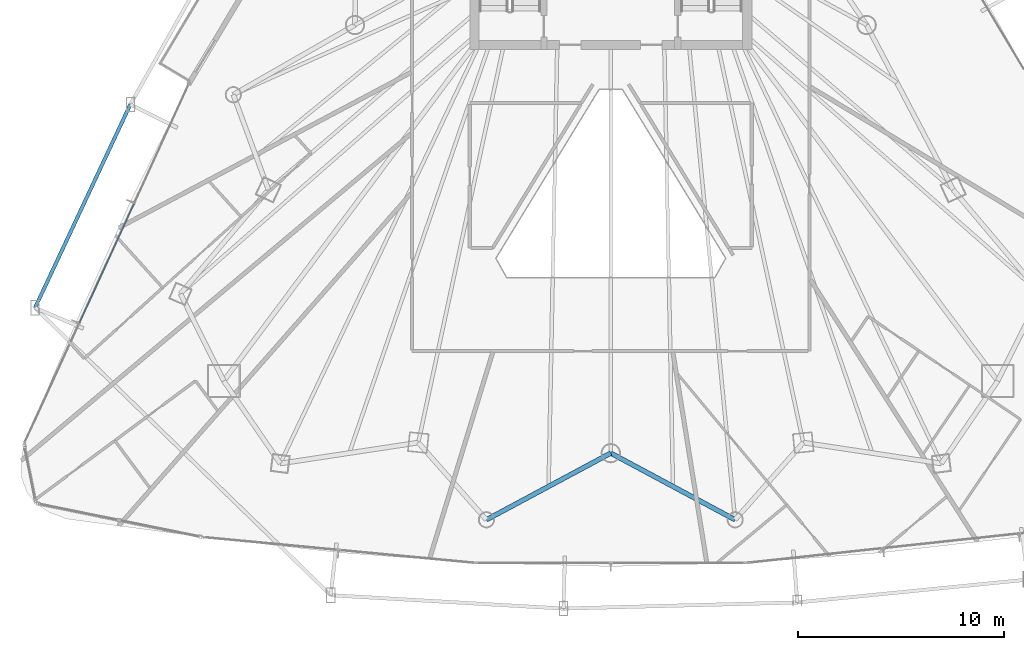
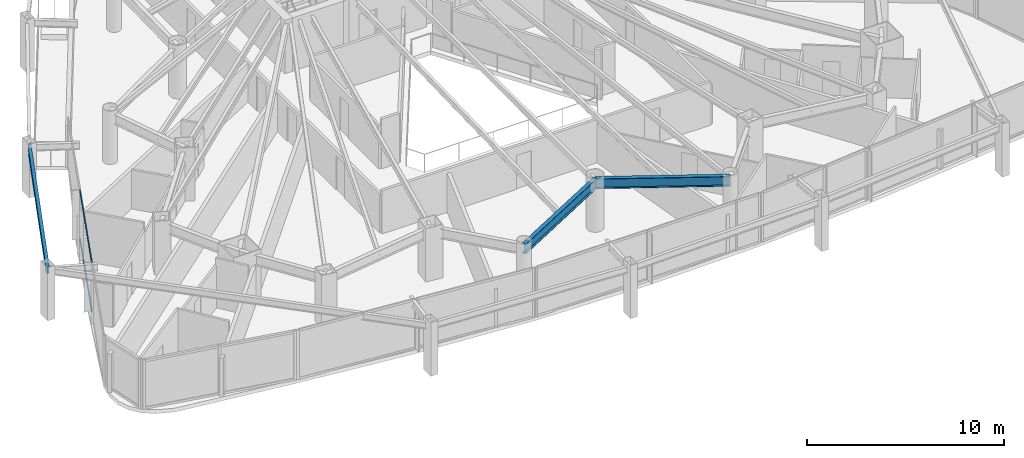
# One storey, part 8 of 38: 3 beams, 2 members, 1 element without a shape of its own.
"""IFC4 building model written with IfcOpenShell, lengths in metres."""

from ifc_helpers import new_model, si_unit, direction, frame, origin, origin_2d, place, context, subcontext, project, spatial, hollow_rectangle, i_section, extrude, material, layer, layer_set, material_profile, profile_set, type_object, element, aggregate, save


model = new_model("IFC4")

# Units and contexts
model_context = context("Model", 3, precision=1e-05, world=origin(), true_north=direction((0.0, 1.0)))
body_context = subcontext(model_context, "Body", "Model", "MODEL_VIEW")
ifc_project = project(units=[si_unit("LENGTHUNIT", "METRE"), si_unit("AREAUNIT", "SQUARE_METRE"), si_unit("VOLUMEUNIT", "CUBIC_METRE"), si_unit("PLANEANGLEUNIT", "RADIAN"), si_unit("MASSUNIT", "GRAM", prefix="KILO")], contexts=[model_context])

# Site, building, storey
site_placement = place(None, origin())
site = spatial("IfcSite", under=ifc_project, at=site_placement, CompositionType="ELEMENT")
building_placement = place(site_placement, origin())
building = spatial("IfcBuilding", under=site, at=building_placement, Name="Orvanel Arch Residences", CompositionType="ELEMENT")
storey_placement = place(building_placement, frame((0.0, 0.0, 43.39990234375)))
storey = spatial("IfcBuildingStorey", under=building, at=storey_placement, Name="L11", CompositionType="ELEMENT", Elevation=43.39990234375)

# Beams
ifc_material_1 = material(Name="Structural steel AS/NZS 3679.1 Grade 300 (300 MPa)", Category="steel")
ifc_material_profile_1 = material_profile(ifc_material_1, i_section(OverallWidth=0.177978515625, OverallDepth=0.406005859375, WebThickness=0.0078125, FlangeThickness=0.0126953125, at=origin_2d()), Name="410UB59.7")
ifc_profile_set_1 = profile_set([ifc_material_profile_1], Name="Structural steel AS/NZS 3679.1 Grade 300 (300 MPa)")
beam_type_1 = type_object("IfcBeamType", Name="OB-410UB-EXT", PredefinedType="SPANDREL", material=ifc_profile_set_1)
beam_placement = place(storey_placement, frame((9.658935546875, 23.784912109375, 2.857177734375), z_axis=(-0.424189154499, -0.905573608938, 0.0), x_axis=(0.905573608938, -0.424189154499, 0.0)))
element("IfcBeam", 1, at=beam_placement, inside=storey, type_object=beam_type_1, Name="L11 Outer Perimeter Floor Ring Beam 03", PredefinedType="SPANDREL", context=body_context, shape_type="SweptSolid", body=[
    extrude(i_section(OverallWidth=0.177978515625, OverallDepth=0.406005859375, WebThickness=0.0078125, FlangeThickness=0.0126953125, at=origin_2d()), origin(), (0.0, 0.0, 1.0), 10.91455078125),
])
ifc_material_profile_2 = material_profile(ifc_material_1, i_section(OverallWidth=0.22900390625, OverallDepth=0.612060546875, WebThickness=0.011962890625, FlangeThickness=0.01953125, at=origin_2d()), Name="610UB125")
ifc_profile_set_2 = profile_set([ifc_material_profile_2], Name="Structural steel AS/NZS 3679.1 Grade 300 (300 MPa)")
beam_type_2 = type_object("IfcBeamType", Name="SP-610UB", PredefinedType="SPANDREL", material=ifc_profile_set_2)
for number, where, z_axis, x_axis, name in (
    (2, (26.9580078125, 3.60498046875, 2.754150390625), (0.881344400551, 0.472474388319, 0.0), (-0.472474388319, 0.881344400551, 0.0), "L11 Perimeter Spandrel Beam 06"),
    (3, (33.0, 6.843994140625, 2.754150390625), (0.881344400551, -0.472474388319, 0.0), (0.472474388319, 0.881344400551, 0.0), "L11 Perimeter Spandrel Beam 07"),
):
    element("IfcBeam", number, at=place(storey_placement, frame(where, z_axis=z_axis, x_axis=x_axis)), inside=storey, type_object=beam_type_2, Name=name, PredefinedType="SPANDREL", context=body_context, shape_type="SweptSolid", body=[
        extrude(i_section(OverallWidth=0.22900390625, OverallDepth=0.612060546875, WebThickness=0.011962890625, FlangeThickness=0.01953125, at=origin_2d()), origin(), (0.0, 0.0, 1.0), 6.85546875),
    ])

# Curtain wall, members
ifc_material_2 = material(Name="Bronze-anodised aluminium AA6063-T6", Category="aluminium")
ifc_layer = layer(ifc_material_2, 0.179931640625)
ifc_layer_set = layer_set([ifc_layer], Name="Bronze-anodised aluminium AA6063-T6")
curtain_wall_type = type_object("IfcCurtainWallType", Name="CW2-LOW-SYS", PredefinedType="NOTDEFINED", material=ifc_layer_set)
curtain_wall_placement = place(storey_placement, origin())
curtain_wall = element("IfcCurtainWall", 4, at=curtain_wall_placement, inside=storey, type_object=curtain_wall_type, Name="L11 CW2-LOW-SYS Unitised Curtain Wall", PredefinedType="NOTDEFINED")
ifc_material_profile_3 = material_profile(ifc_material_2, hollow_rectangle(XDim=0.06005859375, YDim=0.135009765625, WallThickness=0.00390625, at=origin_2d()), Name="ALU135x60x4")
ifc_profile_set_3 = profile_set([ifc_material_profile_3], Name="Bronze-anodised aluminium AA6063-T6")
member_type = type_object("IfcMemberType", Name="TRN-135x60", PredefinedType="USERDEFINED", material=ifc_profile_set_3)
member_1_placement = place(storey_placement, frame((9.835205078125, 18.951416015625, 0.030029296875), z_axis=(-0.416392683211, -0.909184873042, 0.0), x_axis=(0.909184873042, -0.416392683211, 0.0)))
member_1 = element("IfcMember", 5, at=member_1_placement, type_object=member_type, Name="CW-S2 transom 2.1", ObjectType="TRANSOM", PredefinedType="USERDEFINED", context=body_context, shape_type="SweptSolid", body=[
    extrude(hollow_rectangle(XDim=0.06005859375, YDim=0.135009765625, WallThickness=0.00390625, at=origin_2d()), origin(), (0.0, 0.0, 1.0), 6.352783203125),
])
member_2_placement = place(storey_placement, frame((9.835205078125, 18.951416015625, 3.030029296875), z_axis=(-0.416392683211, -0.909184873042, 0.0), x_axis=(0.909184873042, -0.416392683211, 0.0)))
member_2 = element("IfcMember", 6, at=member_2_placement, type_object=member_type, Name="CW-S2 transom 2.2", ObjectType="TRANSOM", PredefinedType="USERDEFINED", context=body_context, shape_type="SweptSolid", body=[
    extrude(hollow_rectangle(XDim=0.06005859375, YDim=0.135009765625, WallThickness=0.00390625, at=origin_2d()), origin(), (0.0, 0.0, 1.0), 6.352783203125),
])
aggregate(curtain_wall, [member_1, member_2])

save(model, "model.ifc")
